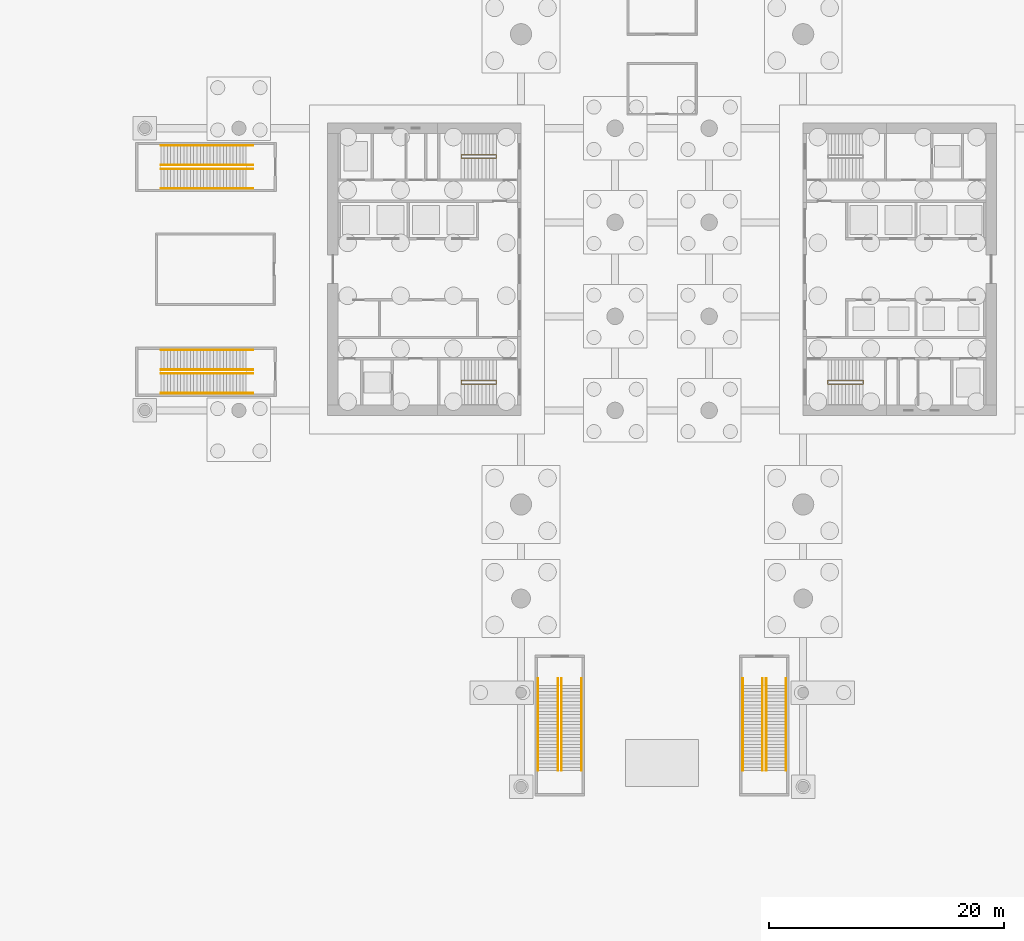
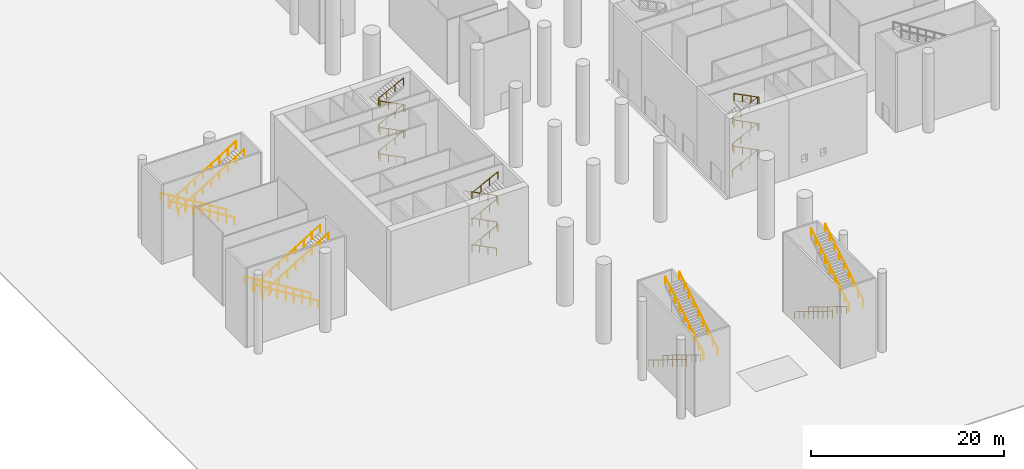
# One storey, part 11 of 14: 19 railings.
"""IFC4 building model written with IfcOpenShell, lengths in metres."""

from ifc_helpers import new_model, si_unit, direction, frame, origin, origin_2d, place, context, subcontext, project, spatial, circle, extrude, material, type_object, element, save


model = new_model("IFC4")

# Units and contexts
model_context = context("Model", 3, precision=1e-05, world=origin(), true_north=direction((0.0, 1.0)))
body_context = subcontext(model_context, "Body", "Model", "MODEL_VIEW")
ifc_project = project(units=[si_unit("LENGTHUNIT", "METRE"), si_unit("AREAUNIT", "SQUARE_METRE"), si_unit("VOLUMEUNIT", "CUBIC_METRE"), si_unit("PLANEANGLEUNIT", "RADIAN"), si_unit("MASSUNIT", "GRAM", prefix="KILO")], contexts=[model_context])

# Site, building, storey
site_placement = place(None, origin())
site = spatial("IfcSite", under=ifc_project, at=site_placement, CompositionType="ELEMENT")
building_placement = place(site_placement, origin())
building = spatial("IfcBuilding", under=site, at=building_placement, Name="Crosswind Convention Tower", CompositionType="ELEMENT")
storey_placement = place(building_placement, origin())
storey = spatial("IfcBuildingStorey", under=building, at=storey_placement, Name="L00", CompositionType="ELEMENT", Elevation=0.0)

# Railings
ifc_material = material(Name="Stainless steel", Category="steel")
railing_type_1 = type_object("IfcRailingType", Name="STAIR HANDRAIL 900", PredefinedType="HANDRAIL", material=ifc_material)
for number, where, name in (
    (1, (114.4599609375, 65.199951171875, 0.17236328125), "Handrail S1 L00 1"),
    (2, (116.139892578125, 65.199951171875, 0.17236328125), "Handrail S1 L00 2"),
):
    element("IfcRailing", number, at=place(storey_placement, frame(where)), inside=storey, type_object=railing_type_1, Name=name, PredefinedType="HANDRAIL", context=body_context, shape_type="SweptSolid", body=[
        extrude(circle(Radius=0.02392578125, at=origin_2d()), frame((0.0, 0.0, 0.8759765625), z_axis=(0.0, -0.851507146974, 0.524342997143), x_axis=(1.0, 0.0, 0.0)), (0.0, 0.0, 1.0), 9.20703125),
        extrude(circle(Radius=0.02099609375, at=origin_2d()), origin(), (0.0, 0.0, 1.0), 0.851806640625),
        extrude(circle(Radius=0.02099609375, at=origin_2d()), frame((0.0, -0.97998046875, 0.603515625)), (0.0, 0.0, 1.0), 0.851806640625),
        extrude(circle(Radius=0.02099609375, at=origin_2d()), frame((0.0, -1.9599609375, 1.20703125)), (0.0, 0.0, 1.0), 0.851806640625),
        extrude(circle(Radius=0.02099609375, at=origin_2d()), frame((0.0, -2.93994140625, 1.810302734375)), (0.0, 0.0, 1.0), 0.851806640625),
        extrude(circle(Radius=0.02099609375, at=origin_2d()), frame((0.0, -3.919921875, 2.413818359375)), (0.0, 0.0, 1.0), 0.851806640625),
        extrude(circle(Radius=0.02099609375, at=origin_2d()), frame((0.0, -4.89990234375, 3.017333984375)), (0.0, 0.0, 1.0), 0.851806640625),
        extrude(circle(Radius=0.02099609375, at=origin_2d()), frame((0.0, -5.8798828125, 3.62060546875)), (0.0, 0.0, 1.0), 0.851806640625),
        extrude(circle(Radius=0.02099609375, at=origin_2d()), frame((0.0, -6.85986328125, 4.22412109375)), (0.0, 0.0, 1.0), 0.851806640625),
        extrude(circle(Radius=0.02099609375, at=origin_2d()), frame((0.0, -7.83984375, 4.82763671875)), (0.0, 0.0, 1.0), 0.851806640625),
    ])
for number, where, name in (
    (3, (116.4599609375, 57.360107421875, 5.17236328125), "Handrail S1 L00 3"),
    (4, (118.139892578125, 57.360107421875, 5.17236328125), "Handrail S1 L00 4"),
):
    element("IfcRailing", number, at=place(storey_placement, frame(where)), inside=storey, type_object=railing_type_1, Name=name, PredefinedType="HANDRAIL", context=body_context, shape_type="SweptSolid", body=[
        extrude(circle(Radius=0.02392578125, at=origin_2d()), frame((0.0, 0.0, 0.8759765625), z_axis=(0.0, 0.851507146974, 0.524342997143), x_axis=(-1.0, 0.0, 0.0)), (0.0, 0.0, 1.0), 9.20703125),
        extrude(circle(Radius=0.02099609375, at=origin_2d()), origin(), (0.0, 0.0, 1.0), 0.851806640625),
        extrude(circle(Radius=0.02099609375, at=origin_2d()), frame((0.0, 0.97998046875, 0.603515625)), (0.0, 0.0, 1.0), 0.851806640625),
        extrude(circle(Radius=0.02099609375, at=origin_2d()), frame((0.0, 1.9599609375, 1.20703125)), (0.0, 0.0, 1.0), 0.851806640625),
        extrude(circle(Radius=0.02099609375, at=origin_2d()), frame((0.0, 2.93994140625, 1.810302734375)), (0.0, 0.0, 1.0), 0.851806640625),
        extrude(circle(Radius=0.02099609375, at=origin_2d()), frame((0.0, 3.919921875, 2.413818359375)), (0.0, 0.0, 1.0), 0.851806640625),
        extrude(circle(Radius=0.02099609375, at=origin_2d()), frame((0.0, 4.89990234375, 3.017333984375)), (0.0, 0.0, 1.0), 0.851806640625),
        extrude(circle(Radius=0.02099609375, at=origin_2d()), frame((0.0, 5.8798828125, 3.62060546875)), (0.0, 0.0, 1.0), 0.851806640625),
        extrude(circle(Radius=0.02099609375, at=origin_2d()), frame((0.0, 6.85986328125, 4.22412109375)), (0.0, 0.0, 1.0), 0.851806640625),
        extrude(circle(Radius=0.02099609375, at=origin_2d()), frame((0.0, 7.83984375, 4.82763671875)), (0.0, 0.0, 1.0), 0.851806640625),
    ])
for number, where, name in (
    (5, (131.860107421875, 65.199951171875, 0.17236328125), "Handrail S2 L00 1"),
    (6, (133.5400390625, 65.199951171875, 0.17236328125), "Handrail S2 L00 2"),
):
    element("IfcRailing", number, at=place(storey_placement, frame(where)), inside=storey, type_object=railing_type_1, Name=name, PredefinedType="HANDRAIL", context=body_context, shape_type="SweptSolid", body=[
        extrude(circle(Radius=0.02392578125, at=origin_2d()), frame((0.0, 0.0, 0.8759765625), z_axis=(0.0, -0.851507146974, 0.524342997143), x_axis=(1.0, 0.0, 0.0)), (0.0, 0.0, 1.0), 9.20703125),
        extrude(circle(Radius=0.02099609375, at=origin_2d()), origin(), (0.0, 0.0, 1.0), 0.851806640625),
        extrude(circle(Radius=0.02099609375, at=origin_2d()), frame((0.0, -0.97998046875, 0.603515625)), (0.0, 0.0, 1.0), 0.851806640625),
        extrude(circle(Radius=0.02099609375, at=origin_2d()), frame((0.0, -1.9599609375, 1.20703125)), (0.0, 0.0, 1.0), 0.851806640625),
        extrude(circle(Radius=0.02099609375, at=origin_2d()), frame((0.0, -2.93994140625, 1.810302734375)), (0.0, 0.0, 1.0), 0.851806640625),
        extrude(circle(Radius=0.02099609375, at=origin_2d()), frame((0.0, -3.919921875, 2.413818359375)), (0.0, 0.0, 1.0), 0.851806640625),
        extrude(circle(Radius=0.02099609375, at=origin_2d()), frame((0.0, -4.89990234375, 3.017333984375)), (0.0, 0.0, 1.0), 0.851806640625),
        extrude(circle(Radius=0.02099609375, at=origin_2d()), frame((0.0, -5.8798828125, 3.62060546875)), (0.0, 0.0, 1.0), 0.851806640625),
        extrude(circle(Radius=0.02099609375, at=origin_2d()), frame((0.0, -6.85986328125, 4.22412109375)), (0.0, 0.0, 1.0), 0.851806640625),
        extrude(circle(Radius=0.02099609375, at=origin_2d()), frame((0.0, -7.83984375, 4.82763671875)), (0.0, 0.0, 1.0), 0.851806640625),
    ])
for number, where, name in (
    (7, (133.860107421875, 57.360107421875, 5.17236328125), "Handrail S2 L00 3"),
    (8, (135.5400390625, 57.360107421875, 5.17236328125), "Handrail S2 L00 4"),
):
    element("IfcRailing", number, at=place(storey_placement, frame(where)), inside=storey, type_object=railing_type_1, Name=name, PredefinedType="HANDRAIL", context=body_context, shape_type="SweptSolid", body=[
        extrude(circle(Radius=0.02392578125, at=origin_2d()), frame((0.0, 0.0, 0.8759765625), z_axis=(0.0, 0.851507146974, 0.524342997143), x_axis=(-1.0, 0.0, 0.0)), (0.0, 0.0, 1.0), 9.20703125),
        extrude(circle(Radius=0.02099609375, at=origin_2d()), origin(), (0.0, 0.0, 1.0), 0.851806640625),
        extrude(circle(Radius=0.02099609375, at=origin_2d()), frame((0.0, 0.97998046875, 0.603515625)), (0.0, 0.0, 1.0), 0.851806640625),
        extrude(circle(Radius=0.02099609375, at=origin_2d()), frame((0.0, 1.9599609375, 1.20703125)), (0.0, 0.0, 1.0), 0.851806640625),
        extrude(circle(Radius=0.02099609375, at=origin_2d()), frame((0.0, 2.93994140625, 1.810302734375)), (0.0, 0.0, 1.0), 0.851806640625),
        extrude(circle(Radius=0.02099609375, at=origin_2d()), frame((0.0, 3.919921875, 2.413818359375)), (0.0, 0.0, 1.0), 0.851806640625),
        extrude(circle(Radius=0.02099609375, at=origin_2d()), frame((0.0, 4.89990234375, 3.017333984375)), (0.0, 0.0, 1.0), 0.851806640625),
        extrude(circle(Radius=0.02099609375, at=origin_2d()), frame((0.0, 5.8798828125, 3.62060546875)), (0.0, 0.0, 1.0), 0.851806640625),
        extrude(circle(Radius=0.02099609375, at=origin_2d()), frame((0.0, 6.85986328125, 4.22412109375)), (0.0, 0.0, 1.0), 0.851806640625),
        extrude(circle(Radius=0.02099609375, at=origin_2d()), frame((0.0, 7.83984375, 4.82763671875)), (0.0, 0.0, 1.0), 0.851806640625),
    ])
for number, where, name in (
    (9, (90.199951171875, 93.139892578125, 0.17236328125), "Handrail W1 L00 1"),
    (10, (90.199951171875, 91.4599609375, 0.17236328125), "Handrail W1 L00 2"),
):
    element("IfcRailing", number, at=place(storey_placement, frame(where)), inside=storey, type_object=railing_type_1, Name=name, PredefinedType="HANDRAIL", context=body_context, shape_type="SweptSolid", body=[
        extrude(circle(Radius=0.02392578125, at=origin_2d()), frame((0.0, 0.0, 0.8759765625), z_axis=(-0.851507146974, 0.0, 0.524342997143), x_axis=(0.0, -1.0, 0.0)), (0.0, 0.0, 1.0), 9.20703125),
        extrude(circle(Radius=0.02099609375, at=origin_2d()), origin(), (0.0, 0.0, 1.0), 0.851806640625),
        extrude(circle(Radius=0.02099609375, at=origin_2d()), frame((-0.97998046875, 0.0, 0.603515625)), (0.0, 0.0, 1.0), 0.851806640625),
        extrude(circle(Radius=0.02099609375, at=origin_2d()), frame((-1.9599609375, 0.0, 1.20703125)), (0.0, 0.0, 1.0), 0.851806640625),
        extrude(circle(Radius=0.02099609375, at=origin_2d()), frame((-2.93994140625, 0.0, 1.810302734375)), (0.0, 0.0, 1.0), 0.851806640625),
        extrude(circle(Radius=0.02099609375, at=origin_2d()), frame((-3.919921875, 0.0, 2.413818359375)), (0.0, 0.0, 1.0), 0.851806640625),
        extrude(circle(Radius=0.02099609375, at=origin_2d()), frame((-4.89990234375, 0.0, 3.017333984375)), (0.0, 0.0, 1.0), 0.851806640625),
        extrude(circle(Radius=0.02099609375, at=origin_2d()), frame((-5.8798828125, 0.0, 3.62060546875)), (0.0, 0.0, 1.0), 0.851806640625),
        extrude(circle(Radius=0.02099609375, at=origin_2d()), frame((-6.85986328125, 0.0, 4.22412109375)), (0.0, 0.0, 1.0), 0.851806640625),
        extrude(circle(Radius=0.02099609375, at=origin_2d()), frame((-7.83984375, 0.0, 4.82763671875)), (0.0, 0.0, 1.0), 0.851806640625),
    ])
for number, where, name in (
    (11, (82.360107421875, 91.139892578125, 5.17236328125), "Handrail W1 L00 3"),
    (12, (82.360107421875, 89.4599609375, 5.17236328125), "Handrail W1 L00 4"),
):
    element("IfcRailing", number, at=place(storey_placement, frame(where)), inside=storey, type_object=railing_type_1, Name=name, PredefinedType="HANDRAIL", context=body_context, shape_type="SweptSolid", body=[
        extrude(circle(Radius=0.02392578125, at=origin_2d()), frame((0.0, 0.0, 0.8759765625), z_axis=(0.851507146974, 0.0, 0.524342997143), x_axis=(0.0, 1.0, 0.0)), (0.0, 0.0, 1.0), 9.20703125),
        extrude(circle(Radius=0.02099609375, at=origin_2d()), origin(), (0.0, 0.0, 1.0), 0.851806640625),
        extrude(circle(Radius=0.02099609375, at=origin_2d()), frame((0.97998046875, 0.0, 0.603515625)), (0.0, 0.0, 1.0), 0.851806640625),
        extrude(circle(Radius=0.02099609375, at=origin_2d()), frame((1.9599609375, 0.0, 1.20703125)), (0.0, 0.0, 1.0), 0.851806640625),
        extrude(circle(Radius=0.02099609375, at=origin_2d()), frame((2.93994140625, 0.0, 1.810302734375)), (0.0, 0.0, 1.0), 0.851806640625),
        extrude(circle(Radius=0.02099609375, at=origin_2d()), frame((3.919921875, 0.0, 2.413818359375)), (0.0, 0.0, 1.0), 0.851806640625),
        extrude(circle(Radius=0.02099609375, at=origin_2d()), frame((4.89990234375, 0.0, 3.017333984375)), (0.0, 0.0, 1.0), 0.851806640625),
        extrude(circle(Radius=0.02099609375, at=origin_2d()), frame((5.8798828125, 0.0, 3.62060546875)), (0.0, 0.0, 1.0), 0.851806640625),
        extrude(circle(Radius=0.02099609375, at=origin_2d()), frame((6.85986328125, 0.0, 4.22412109375)), (0.0, 0.0, 1.0), 0.851806640625),
        extrude(circle(Radius=0.02099609375, at=origin_2d()), frame((7.83984375, 0.0, 4.82763671875)), (0.0, 0.0, 1.0), 0.851806640625),
    ])
for number, where, name in (
    (13, (90.199951171875, 110.5400390625, 0.17236328125), "Handrail W2 L00 1"),
    (14, (90.199951171875, 108.860107421875, 0.17236328125), "Handrail W2 L00 2"),
):
    element("IfcRailing", number, at=place(storey_placement, frame(where)), inside=storey, type_object=railing_type_1, Name=name, PredefinedType="HANDRAIL", context=body_context, shape_type="SweptSolid", body=[
        extrude(circle(Radius=0.02392578125, at=origin_2d()), frame((0.0, 0.0, 0.8759765625), z_axis=(-0.851507146974, 0.0, 0.524342997143), x_axis=(0.0, -1.0, 0.0)), (0.0, 0.0, 1.0), 9.20703125),
        extrude(circle(Radius=0.02099609375, at=origin_2d()), origin(), (0.0, 0.0, 1.0), 0.851806640625),
        extrude(circle(Radius=0.02099609375, at=origin_2d()), frame((-0.97998046875, 0.0, 0.603515625)), (0.0, 0.0, 1.0), 0.851806640625),
        extrude(circle(Radius=0.02099609375, at=origin_2d()), frame((-1.9599609375, 0.0, 1.20703125)), (0.0, 0.0, 1.0), 0.851806640625),
        extrude(circle(Radius=0.02099609375, at=origin_2d()), frame((-2.93994140625, 0.0, 1.810302734375)), (0.0, 0.0, 1.0), 0.851806640625),
        extrude(circle(Radius=0.02099609375, at=origin_2d()), frame((-3.919921875, 0.0, 2.413818359375)), (0.0, 0.0, 1.0), 0.851806640625),
        extrude(circle(Radius=0.02099609375, at=origin_2d()), frame((-4.89990234375, 0.0, 3.017333984375)), (0.0, 0.0, 1.0), 0.851806640625),
        extrude(circle(Radius=0.02099609375, at=origin_2d()), frame((-5.8798828125, 0.0, 3.62060546875)), (0.0, 0.0, 1.0), 0.851806640625),
        extrude(circle(Radius=0.02099609375, at=origin_2d()), frame((-6.85986328125, 0.0, 4.22412109375)), (0.0, 0.0, 1.0), 0.851806640625),
        extrude(circle(Radius=0.02099609375, at=origin_2d()), frame((-7.83984375, 0.0, 4.82763671875)), (0.0, 0.0, 1.0), 0.851806640625),
    ])
for number, where, name in (
    (15, (82.360107421875, 108.5400390625, 5.17236328125), "Handrail W2 L00 3"),
    (16, (82.360107421875, 106.860107421875, 5.17236328125), "Handrail W2 L00 4"),
):
    element("IfcRailing", number, at=place(storey_placement, frame(where)), inside=storey, type_object=railing_type_1, Name=name, PredefinedType="HANDRAIL", context=body_context, shape_type="SweptSolid", body=[
        extrude(circle(Radius=0.02392578125, at=origin_2d()), frame((0.0, 0.0, 0.8759765625), z_axis=(0.851507146974, 0.0, 0.524342997143), x_axis=(0.0, 1.0, 0.0)), (0.0, 0.0, 1.0), 9.20703125),
        extrude(circle(Radius=0.02099609375, at=origin_2d()), origin(), (0.0, 0.0, 1.0), 0.851806640625),
        extrude(circle(Radius=0.02099609375, at=origin_2d()), frame((0.97998046875, 0.0, 0.603515625)), (0.0, 0.0, 1.0), 0.851806640625),
        extrude(circle(Radius=0.02099609375, at=origin_2d()), frame((1.9599609375, 0.0, 1.20703125)), (0.0, 0.0, 1.0), 0.851806640625),
        extrude(circle(Radius=0.02099609375, at=origin_2d()), frame((2.93994140625, 0.0, 1.810302734375)), (0.0, 0.0, 1.0), 0.851806640625),
        extrude(circle(Radius=0.02099609375, at=origin_2d()), frame((3.919921875, 0.0, 2.413818359375)), (0.0, 0.0, 1.0), 0.851806640625),
        extrude(circle(Radius=0.02099609375, at=origin_2d()), frame((4.89990234375, 0.0, 3.017333984375)), (0.0, 0.0, 1.0), 0.851806640625),
        extrude(circle(Radius=0.02099609375, at=origin_2d()), frame((5.8798828125, 0.0, 3.62060546875)), (0.0, 0.0, 1.0), 0.851806640625),
        extrude(circle(Radius=0.02099609375, at=origin_2d()), frame((6.85986328125, 0.0, 4.22412109375)), (0.0, 0.0, 1.0), 0.851806640625),
        extrude(circle(Radius=0.02099609375, at=origin_2d()), frame((7.83984375, 0.0, 4.82763671875)), (0.0, 0.0, 1.0), 0.851806640625),
    ])
railing_type_2 = type_object("IfcRailingType", Name="Stair handrail 900", PredefinedType="HANDRAIL", material=ifc_material)
railing_1_placement = place(storey_placement, frame((139.10009765625, 90.56005859375, 0.151611328125)))
element("IfcRailing", 17, at=railing_1_placement, inside=storey, type_object=railing_type_2, Name="Stair ST2 handrail L00", PredefinedType="HANDRAIL", context=body_context, shape_type="SweptSolid", body=[
    extrude(circle(Radius=0.02392578125, at=origin_2d()), frame((0.0, 0.0, 0.8759765625), z_axis=(0.892618425421, 0.0, 0.450812984063), x_axis=(0.0, 1.0, 0.0)), (0.0, 0.0, 1.0), 3.36083984375),
    extrude(circle(Radius=0.02392578125, at=origin_2d()), frame((3.0, 0.0, 2.39111328125), z_axis=(0.0, -0.904004436312, 0.427523074381), x_axis=(1.0, 0.0, 0.0)), (0.0, 0.0, 1.0), 0.35400390625),
    extrude(circle(Radius=0.02392578125, at=origin_2d()), frame((3.0, -0.320068359375, 2.54248046875), z_axis=(-0.892618425421, 0.0, 0.450812984063), x_axis=(0.0, -1.0, 0.0)), (0.0, 0.0, 1.0), 3.36083984375),
    extrude(circle(Radius=0.02392578125, at=origin_2d()), frame((0.0, -0.320068359375, 4.0576171875), z_axis=(0.0, 0.903737838894, 0.428086344739), x_axis=(-1.0, 0.0, 0.0)), (0.0, 0.0, 1.0), 0.354248046875),
    extrude(circle(Radius=0.02392578125, at=origin_2d()), frame((0.0, 0.0, 4.208984375), z_axis=(0.892618425421, 0.0, 0.450812984063), x_axis=(0.0, 1.0, 0.0)), (0.0, 0.0, 1.0), 3.36083984375),
    extrude(circle(Radius=0.02392578125, at=origin_2d()), frame((3.0, 0.0, 5.72412109375), z_axis=(0.0, -0.903737838894, 0.428086344739), x_axis=(1.0, 0.0, 0.0)), (0.0, 0.0, 1.0), 0.354248046875),
    extrude(circle(Radius=0.02392578125, at=origin_2d()), frame((3.0, -0.320068359375, 5.8759765625), z_axis=(-0.892618425421, 0.0, 0.450812984063), x_axis=(0.0, -1.0, 0.0)), (0.0, 0.0, 1.0), 3.36083984375),
    extrude(circle(Radius=0.02392578125, at=origin_2d()), frame((0.0, -0.320068359375, 7.39111328125), z_axis=(0.0, 0.904004436312, 0.427523074381), x_axis=(-1.0, 0.0, 0.0)), (0.0, 0.0, 1.0), 0.35400390625),
    extrude(circle(Radius=0.02392578125, at=origin_2d()), frame((0.0, 0.0, 7.54248046875), z_axis=(0.892618425421, 0.0, 0.450812984063), x_axis=(0.0, 1.0, 0.0)), (0.0, 0.0, 1.0), 3.36083984375),
    extrude(circle(Radius=0.02392578125, at=origin_2d()), frame((3.0, 0.0, 9.0576171875), z_axis=(0.0, -0.903737838894, 0.428086344739), x_axis=(1.0, 0.0, 0.0)), (0.0, 0.0, 1.0), 0.354248046875),
    extrude(circle(Radius=0.02392578125, at=origin_2d()), frame((3.0, -0.320068359375, 9.208984375), z_axis=(-0.892618425421, 0.0, 0.450812984063), x_axis=(0.0, -1.0, 0.0)), (0.0, 0.0, 1.0), 3.36083984375),
    extrude(circle(Radius=0.02099609375, at=origin_2d()), origin(), (0.0, 0.0, 1.0), 0.851806640625),
    extrude(circle(Radius=0.02099609375, at=origin_2d()), frame((1.0, 0.0, 0.505126953125)), (0.0, 0.0, 1.0), 0.851806640625),
    extrude(circle(Radius=0.02099609375, at=origin_2d()), frame((2.0, 0.0, 1.010009765625)), (0.0, 0.0, 1.0), 0.851806640625),
    extrude(circle(Radius=0.02099609375, at=origin_2d()), frame((3.0, 0.0, 1.51513671875)), (0.0, 0.0, 1.0), 0.851806640625),
    extrude(circle(Radius=0.02099609375, at=origin_2d()), frame((3.0, -0.320068359375, 1.66650390625)), (0.0, 0.0, 1.0), 0.851806640625),
    extrude(circle(Radius=0.02099609375, at=origin_2d()), frame((2.0, -0.320068359375, 2.171630859375)), (0.0, 0.0, 1.0), 0.851806640625),
    extrude(circle(Radius=0.02099609375, at=origin_2d()), frame((1.0, -0.320068359375, 2.676513671875)), (0.0, 0.0, 1.0), 0.851806640625),
    extrude(circle(Radius=0.02099609375, at=origin_2d()), frame((0.0, -0.320068359375, 3.181640625)), (0.0, 0.0, 1.0), 0.851806640625),
    extrude(circle(Radius=0.02099609375, at=origin_2d()), frame((0.0, 0.0, 3.333251953125)), (0.0, 0.0, 1.0), 0.851806640625),
    extrude(circle(Radius=0.02099609375, at=origin_2d()), frame((1.0, 0.0, 3.83837890625)), (0.0, 0.0, 1.0), 0.851806640625),
    extrude(circle(Radius=0.02099609375, at=origin_2d()), frame((2.0, 0.0, 4.34326171875)), (0.0, 0.0, 1.0), 0.851806640625),
    extrude(circle(Radius=0.02099609375, at=origin_2d()), frame((3.0, 0.0, 4.848388671875)), (0.0, 0.0, 1.0), 0.851806640625),
    extrude(circle(Radius=0.02099609375, at=origin_2d()), frame((3.0, -0.320068359375, 5.0)), (0.0, 0.0, 1.0), 0.851806640625),
    extrude(circle(Radius=0.02099609375, at=origin_2d()), frame((2.0, -0.320068359375, 5.505126953125)), (0.0, 0.0, 1.0), 0.851806640625),
    extrude(circle(Radius=0.02099609375, at=origin_2d()), frame((1.0, -0.320068359375, 6.010009765625)), (0.0, 0.0, 1.0), 0.851806640625),
    extrude(circle(Radius=0.02099609375, at=origin_2d()), frame((0.0, -0.320068359375, 6.51513671875)), (0.0, 0.0, 1.0), 0.851806640625),
    extrude(circle(Radius=0.02099609375, at=origin_2d()), frame((0.0, 0.0, 6.66650390625)), (0.0, 0.0, 1.0), 0.851806640625),
    extrude(circle(Radius=0.02099609375, at=origin_2d()), frame((1.0, 0.0, 7.171630859375)), (0.0, 0.0, 1.0), 0.851806640625),
    extrude(circle(Radius=0.02099609375, at=origin_2d()), frame((2.0, 0.0, 7.676513671875)), (0.0, 0.0, 1.0), 0.851806640625),
    extrude(circle(Radius=0.02099609375, at=origin_2d()), frame((3.0, 0.0, 8.181640625)), (0.0, 0.0, 1.0), 0.851806640625),
    extrude(circle(Radius=0.02099609375, at=origin_2d()), frame((3.0, -0.320068359375, 8.333251953125)), (0.0, 0.0, 1.0), 0.851806640625),
    extrude(circle(Radius=0.02099609375, at=origin_2d()), frame((2.0, -0.320068359375, 8.83837890625)), (0.0, 0.0, 1.0), 0.851806640625),
    extrude(circle(Radius=0.02099609375, at=origin_2d()), frame((1.0, -0.320068359375, 9.34326171875)), (0.0, 0.0, 1.0), 0.851806640625),
    extrude(circle(Radius=0.02099609375, at=origin_2d()), frame((0.0, -0.320068359375, 9.848388671875)), (0.0, 0.0, 1.0), 0.851806640625),
])
railing_2_placement = place(storey_placement, frame((110.89990234375, 90.56005859375, 0.151611328125)))
element("IfcRailing", 18, at=railing_2_placement, inside=storey, type_object=railing_type_2, Name="Stair ST3 handrail L00", PredefinedType="HANDRAIL", context=body_context, shape_type="SweptSolid", body=[
    extrude(circle(Radius=0.02392578125, at=origin_2d()), frame((0.0, 0.0, 0.8759765625), z_axis=(-0.892618425421, 0.0, 0.450812984063), x_axis=(0.0, -1.0, 0.0)), (0.0, 0.0, 1.0), 3.36083984375),
    extrude(circle(Radius=0.02392578125, at=origin_2d()), frame((-3.0, 0.0, 2.39111328125), z_axis=(0.0, -0.904004436312, 0.427523074381), x_axis=(1.0, 0.0, 0.0)), (0.0, 0.0, 1.0), 0.35400390625),
    extrude(circle(Radius=0.02392578125, at=origin_2d()), frame((-3.0, -0.320068359375, 2.54248046875), z_axis=(0.892618425421, 0.0, 0.450812984063), x_axis=(0.0, 1.0, 0.0)), (0.0, 0.0, 1.0), 3.36083984375),
    extrude(circle(Radius=0.02392578125, at=origin_2d()), frame((0.0, -0.320068359375, 4.0576171875), z_axis=(0.0, 0.903737838894, 0.428086344739), x_axis=(-1.0, 0.0, 0.0)), (0.0, 0.0, 1.0), 0.354248046875),
    extrude(circle(Radius=0.02392578125, at=origin_2d()), frame((0.0, 0.0, 4.208984375), z_axis=(-0.892618425421, 0.0, 0.450812984063), x_axis=(0.0, -1.0, 0.0)), (0.0, 0.0, 1.0), 3.36083984375),
    extrude(circle(Radius=0.02392578125, at=origin_2d()), frame((-3.0, 0.0, 5.72412109375), z_axis=(0.0, -0.903737838894, 0.428086344739), x_axis=(1.0, 0.0, 0.0)), (0.0, 0.0, 1.0), 0.354248046875),
    extrude(circle(Radius=0.02392578125, at=origin_2d()), frame((-3.0, -0.320068359375, 5.8759765625), z_axis=(0.892618425421, 0.0, 0.450812984063), x_axis=(0.0, 1.0, 0.0)), (0.0, 0.0, 1.0), 3.36083984375),
    extrude(circle(Radius=0.02392578125, at=origin_2d()), frame((0.0, -0.320068359375, 7.39111328125), z_axis=(0.0, 0.904004436312, 0.427523074381), x_axis=(-1.0, 0.0, 0.0)), (0.0, 0.0, 1.0), 0.35400390625),
    extrude(circle(Radius=0.02392578125, at=origin_2d()), frame((0.0, 0.0, 7.54248046875), z_axis=(-0.892618425421, 0.0, 0.450812984063), x_axis=(0.0, -1.0, 0.0)), (0.0, 0.0, 1.0), 3.36083984375),
    extrude(circle(Radius=0.02392578125, at=origin_2d()), frame((-3.0, 0.0, 9.0576171875), z_axis=(0.0, -0.903737838894, 0.428086344739), x_axis=(1.0, 0.0, 0.0)), (0.0, 0.0, 1.0), 0.354248046875),
    extrude(circle(Radius=0.02392578125, at=origin_2d()), frame((-3.0, -0.320068359375, 9.208984375), z_axis=(0.892618425421, 0.0, 0.450812984063), x_axis=(0.0, 1.0, 0.0)), (0.0, 0.0, 1.0), 3.36083984375),
    extrude(circle(Radius=0.02099609375, at=origin_2d()), origin(), (0.0, 0.0, 1.0), 0.851806640625),
    extrude(circle(Radius=0.02099609375, at=origin_2d()), frame((-1.0, 0.0, 0.505126953125)), (0.0, 0.0, 1.0), 0.851806640625),
    extrude(circle(Radius=0.02099609375, at=origin_2d()), frame((-2.0, 0.0, 1.010009765625)), (0.0, 0.0, 1.0), 0.851806640625),
    extrude(circle(Radius=0.02099609375, at=origin_2d()), frame((-3.0, 0.0, 1.51513671875)), (0.0, 0.0, 1.0), 0.851806640625),
    extrude(circle(Radius=0.02099609375, at=origin_2d()), frame((-3.0, -0.320068359375, 1.66650390625)), (0.0, 0.0, 1.0), 0.851806640625),
    extrude(circle(Radius=0.02099609375, at=origin_2d()), frame((-2.0, -0.320068359375, 2.171630859375)), (0.0, 0.0, 1.0), 0.851806640625),
    extrude(circle(Radius=0.02099609375, at=origin_2d()), frame((-1.0, -0.320068359375, 2.676513671875)), (0.0, 0.0, 1.0), 0.851806640625),
    extrude(circle(Radius=0.02099609375, at=origin_2d()), frame((0.0, -0.320068359375, 3.181640625)), (0.0, 0.0, 1.0), 0.851806640625),
    extrude(circle(Radius=0.02099609375, at=origin_2d()), frame((0.0, 0.0, 3.333251953125)), (0.0, 0.0, 1.0), 0.851806640625),
    extrude(circle(Radius=0.02099609375, at=origin_2d()), frame((-1.0, 0.0, 3.83837890625)), (0.0, 0.0, 1.0), 0.851806640625),
    extrude(circle(Radius=0.02099609375, at=origin_2d()), frame((-2.0, 0.0, 4.34326171875)), (0.0, 0.0, 1.0), 0.851806640625),
    extrude(circle(Radius=0.02099609375, at=origin_2d()), frame((-3.0, 0.0, 4.848388671875)), (0.0, 0.0, 1.0), 0.851806640625),
    extrude(circle(Radius=0.02099609375, at=origin_2d()), frame((-3.0, -0.320068359375, 5.0)), (0.0, 0.0, 1.0), 0.851806640625),
    extrude(circle(Radius=0.02099609375, at=origin_2d()), frame((-2.0, -0.320068359375, 5.505126953125)), (0.0, 0.0, 1.0), 0.851806640625),
    extrude(circle(Radius=0.02099609375, at=origin_2d()), frame((-1.0, -0.320068359375, 6.010009765625)), (0.0, 0.0, 1.0), 0.851806640625),
    extrude(circle(Radius=0.02099609375, at=origin_2d()), frame((0.0, -0.320068359375, 6.51513671875)), (0.0, 0.0, 1.0), 0.851806640625),
    extrude(circle(Radius=0.02099609375, at=origin_2d()), frame((0.0, 0.0, 6.66650390625)), (0.0, 0.0, 1.0), 0.851806640625),
    extrude(circle(Radius=0.02099609375, at=origin_2d()), frame((-1.0, 0.0, 7.171630859375)), (0.0, 0.0, 1.0), 0.851806640625),
    extrude(circle(Radius=0.02099609375, at=origin_2d()), frame((-2.0, 0.0, 7.676513671875)), (0.0, 0.0, 1.0), 0.851806640625),
    extrude(circle(Radius=0.02099609375, at=origin_2d()), frame((-3.0, 0.0, 8.181640625)), (0.0, 0.0, 1.0), 0.851806640625),
    extrude(circle(Radius=0.02099609375, at=origin_2d()), frame((-3.0, -0.320068359375, 8.333251953125)), (0.0, 0.0, 1.0), 0.851806640625),
    extrude(circle(Radius=0.02099609375, at=origin_2d()), frame((-2.0, -0.320068359375, 8.83837890625)), (0.0, 0.0, 1.0), 0.851806640625),
    extrude(circle(Radius=0.02099609375, at=origin_2d()), frame((-1.0, -0.320068359375, 9.34326171875)), (0.0, 0.0, 1.0), 0.851806640625),
    extrude(circle(Radius=0.02099609375, at=origin_2d()), frame((0.0, -0.320068359375, 9.848388671875)), (0.0, 0.0, 1.0), 0.851806640625),
])
railing_3_placement = place(storey_placement, frame((110.89990234375, 109.43994140625, 0.151611328125)))
element("IfcRailing", 19, at=railing_3_placement, inside=storey, type_object=railing_type_2, Name="Stair ST4 handrail L00", PredefinedType="HANDRAIL", context=body_context, shape_type="SweptSolid", body=[
    extrude(circle(Radius=0.02392578125, at=origin_2d()), frame((0.0, 0.0, 0.8759765625), z_axis=(-0.892618425421, 0.0, 0.450812984063), x_axis=(0.0, -1.0, 0.0)), (0.0, 0.0, 1.0), 3.36083984375),
    extrude(circle(Radius=0.02392578125, at=origin_2d()), frame((-3.0, 0.0, 2.39111328125), z_axis=(0.0, 0.904004436312, 0.427523074381), x_axis=(-1.0, 0.0, 0.0)), (0.0, 0.0, 1.0), 0.35400390625),
    extrude(circle(Radius=0.02392578125, at=origin_2d()), frame((-3.0, 0.320068359375, 2.54248046875), z_axis=(0.892618425421, 0.0, 0.450812984063), x_axis=(0.0, 1.0, 0.0)), (0.0, 0.0, 1.0), 3.36083984375),
    extrude(circle(Radius=0.02392578125, at=origin_2d()), frame((0.0, 0.320068359375, 4.0576171875), z_axis=(0.0, -0.903737838894, 0.428086344739), x_axis=(1.0, 0.0, 0.0)), (0.0, 0.0, 1.0), 0.354248046875),
    extrude(circle(Radius=0.02392578125, at=origin_2d()), frame((0.0, 0.0, 4.208984375), z_axis=(-0.892618425421, 0.0, 0.450812984063), x_axis=(0.0, -1.0, 0.0)), (0.0, 0.0, 1.0), 3.36083984375),
    extrude(circle(Radius=0.02392578125, at=origin_2d()), frame((-3.0, 0.0, 5.72412109375), z_axis=(0.0, 0.903737838894, 0.428086344739), x_axis=(-1.0, 0.0, 0.0)), (0.0, 0.0, 1.0), 0.354248046875),
    extrude(circle(Radius=0.02392578125, at=origin_2d()), frame((-3.0, 0.320068359375, 5.8759765625), z_axis=(0.892618425421, 0.0, 0.450812984063), x_axis=(0.0, 1.0, 0.0)), (0.0, 0.0, 1.0), 3.36083984375),
    extrude(circle(Radius=0.02392578125, at=origin_2d()), frame((0.0, 0.320068359375, 7.39111328125), z_axis=(0.0, -0.904004436312, 0.427523074381), x_axis=(1.0, 0.0, 0.0)), (0.0, 0.0, 1.0), 0.35400390625),
    extrude(circle(Radius=0.02392578125, at=origin_2d()), frame((0.0, 0.0, 7.54248046875), z_axis=(-0.892618425421, 0.0, 0.450812984063), x_axis=(0.0, -1.0, 0.0)), (0.0, 0.0, 1.0), 3.36083984375),
    extrude(circle(Radius=0.02392578125, at=origin_2d()), frame((-3.0, 0.0, 9.0576171875), z_axis=(0.0, 0.903737838894, 0.428086344739), x_axis=(-1.0, 0.0, 0.0)), (0.0, 0.0, 1.0), 0.354248046875),
    extrude(circle(Radius=0.02392578125, at=origin_2d()), frame((-3.0, 0.320068359375, 9.208984375), z_axis=(0.892618425421, 0.0, 0.450812984063), x_axis=(0.0, 1.0, 0.0)), (0.0, 0.0, 1.0), 3.36083984375),
    extrude(circle(Radius=0.02099609375, at=origin_2d()), origin(), (0.0, 0.0, 1.0), 0.851806640625),
    extrude(circle(Radius=0.02099609375, at=origin_2d()), frame((-1.0, 0.0, 0.505126953125)), (0.0, 0.0, 1.0), 0.851806640625),
    extrude(circle(Radius=0.02099609375, at=origin_2d()), frame((-2.0, 0.0, 1.010009765625)), (0.0, 0.0, 1.0), 0.851806640625),
    extrude(circle(Radius=0.02099609375, at=origin_2d()), frame((-3.0, 0.0, 1.51513671875)), (0.0, 0.0, 1.0), 0.851806640625),
    extrude(circle(Radius=0.02099609375, at=origin_2d()), frame((-3.0, 0.320068359375, 1.66650390625)), (0.0, 0.0, 1.0), 0.851806640625),
    extrude(circle(Radius=0.02099609375, at=origin_2d()), frame((-2.0, 0.320068359375, 2.171630859375)), (0.0, 0.0, 1.0), 0.851806640625),
    extrude(circle(Radius=0.02099609375, at=origin_2d()), frame((-1.0, 0.320068359375, 2.676513671875)), (0.0, 0.0, 1.0), 0.851806640625),
    extrude(circle(Radius=0.02099609375, at=origin_2d()), frame((0.0, 0.320068359375, 3.181640625)), (0.0, 0.0, 1.0), 0.851806640625),
    extrude(circle(Radius=0.02099609375, at=origin_2d()), frame((0.0, 0.0, 3.333251953125)), (0.0, 0.0, 1.0), 0.851806640625),
    extrude(circle(Radius=0.02099609375, at=origin_2d()), frame((-1.0, 0.0, 3.83837890625)), (0.0, 0.0, 1.0), 0.851806640625),
    extrude(circle(Radius=0.02099609375, at=origin_2d()), frame((-2.0, 0.0, 4.34326171875)), (0.0, 0.0, 1.0), 0.851806640625),
    extrude(circle(Radius=0.02099609375, at=origin_2d()), frame((-3.0, 0.0, 4.848388671875)), (0.0, 0.0, 1.0), 0.851806640625),
    extrude(circle(Radius=0.02099609375, at=origin_2d()), frame((-3.0, 0.320068359375, 5.0)), (0.0, 0.0, 1.0), 0.851806640625),
    extrude(circle(Radius=0.02099609375, at=origin_2d()), frame((-2.0, 0.320068359375, 5.505126953125)), (0.0, 0.0, 1.0), 0.851806640625),
    extrude(circle(Radius=0.02099609375, at=origin_2d()), frame((-1.0, 0.320068359375, 6.010009765625)), (0.0, 0.0, 1.0), 0.851806640625),
    extrude(circle(Radius=0.02099609375, at=origin_2d()), frame((0.0, 0.320068359375, 6.51513671875)), (0.0, 0.0, 1.0), 0.851806640625),
    extrude(circle(Radius=0.02099609375, at=origin_2d()), frame((0.0, 0.0, 6.66650390625)), (0.0, 0.0, 1.0), 0.851806640625),
    extrude(circle(Radius=0.02099609375, at=origin_2d()), frame((-1.0, 0.0, 7.171630859375)), (0.0, 0.0, 1.0), 0.851806640625),
    extrude(circle(Radius=0.02099609375, at=origin_2d()), frame((-2.0, 0.0, 7.676513671875)), (0.0, 0.0, 1.0), 0.851806640625),
    extrude(circle(Radius=0.02099609375, at=origin_2d()), frame((-3.0, 0.0, 8.181640625)), (0.0, 0.0, 1.0), 0.851806640625),
    extrude(circle(Radius=0.02099609375, at=origin_2d()), frame((-3.0, 0.320068359375, 8.333251953125)), (0.0, 0.0, 1.0), 0.851806640625),
    extrude(circle(Radius=0.02099609375, at=origin_2d()), frame((-2.0, 0.320068359375, 8.83837890625)), (0.0, 0.0, 1.0), 0.851806640625),
    extrude(circle(Radius=0.02099609375, at=origin_2d()), frame((-1.0, 0.320068359375, 9.34326171875)), (0.0, 0.0, 1.0), 0.851806640625),
    extrude(circle(Radius=0.02099609375, at=origin_2d()), frame((0.0, 0.320068359375, 9.848388671875)), (0.0, 0.0, 1.0), 0.851806640625),
])

save(model, "model.ifc")
